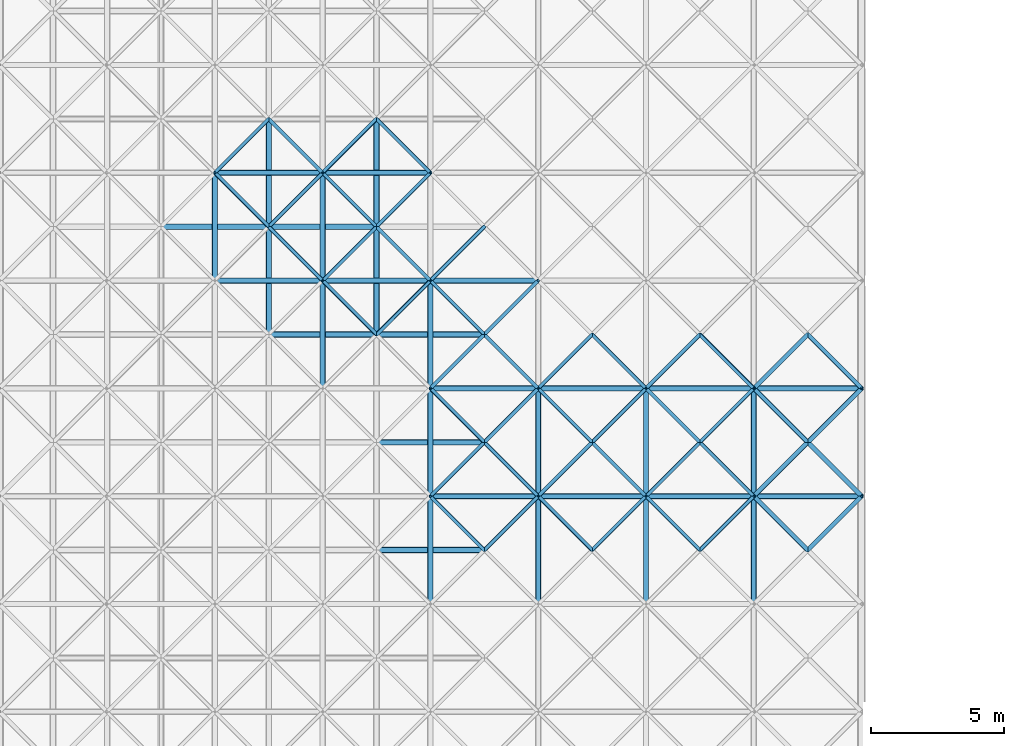
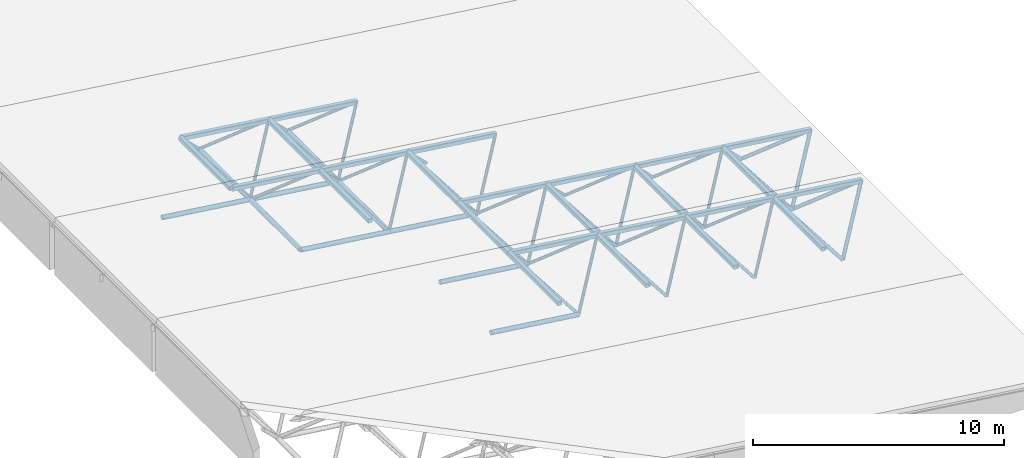
# One storey, part 18 of 70: 83 members.
"""IFC4 building model written with IfcOpenShell, lengths in metres."""

from ifc_helpers import new_model, si_unit, direction, frame, origin, origin_2d, place, context, subcontext, project, spatial, hollow_rectangle, hollow_circle, extrude, material, material_profile, profile_set, type_object, element, save


model = new_model("IFC4")

# Units and contexts
model_context = context("Model", 3, precision=1e-05, world=origin(), true_north=direction((0.0, 1.0)))
body_context = subcontext(model_context, "Body", "Model", "MODEL_VIEW")
ifc_project = project(units=[si_unit("LENGTHUNIT", "METRE"), si_unit("AREAUNIT", "SQUARE_METRE"), si_unit("VOLUMEUNIT", "CUBIC_METRE"), si_unit("PLANEANGLEUNIT", "RADIAN"), si_unit("MASSUNIT", "GRAM", prefix="KILO")], contexts=[model_context])

# Site, building, storey
site_placement = place(None, origin())
site = spatial("IfcSite", under=ifc_project, at=site_placement, CompositionType="ELEMENT")
building_placement = place(site_placement, origin())
building = spatial("IfcBuilding", under=site, at=building_placement, Name="Vaudrelin Polytechnic", CompositionType="ELEMENT")
storey_placement = place(building_placement, frame((0.0, 0.0, 14.110107421875)))
storey = spatial("IfcBuildingStorey", under=building, at=storey_placement, Name="L03", CompositionType="ELEMENT", Elevation=14.110107421875)

# Members
ifc_material = material(Name="Steel CSA G40.21 350WT", Category="steel")
ifc_material_profile_1 = material_profile(ifc_material, hollow_circle(Radius=0.109619140625, WallThickness=0.010986328125, at=origin_2d()), Name="CHS219.1x11.1")
ifc_profile_set_1 = profile_set([ifc_material_profile_1], Name="Steel CSA G40.21 350WT")
member_type_1 = type_object("IfcMemberType", Name="MEM-SF-BC1", PredefinedType="CHORD", material=ifc_profile_set_1)
for number, where, z_axis, x_axis, name in (
    (1, (14.175048828125, 54.675048828125, 0.439208984375), (0.991444732077, 0.0, -0.130527174324), (0.0, 1.0, 0.0), "Space frame bottom chord X 4-4"),
    (2, (14.175048828125, 58.72509765625, 0.439208984375), (0.991444732077, 0.0, -0.130527174324), (0.0, 1.0, 0.0), "Space frame bottom chord X 4-5"),
    (3, (10.125, 62.77490234375, 0.972412109375), (0.991444732077, 0.0, -0.130527174324), (0.0, 1.0, 0.0), "Space frame bottom chord X 3-6"),
    (4, (14.175048828125, 62.77490234375, 0.439208984375), (0.991444732077, 0.0, -0.130527174324), (0.0, 1.0, 0.0), "Space frame bottom chord X 4-6"),
    (5, (6.074951171875, 66.824951171875, 1.505615234375), (0.991444732077, 0.0, -0.130527174324), (0.0, 1.0, 0.0), "Space frame bottom chord X 2-7"),
    (6, (10.125, 66.824951171875, 0.972412109375), (0.991444732077, 0.0, -0.130527174324), (0.0, 1.0, 0.0), "Space frame bottom chord X 3-7"),
):
    element("IfcMember", number, at=place(storey_placement, frame(where, z_axis=z_axis, x_axis=x_axis)), inside=storey, type_object=member_type_1, Name=name, PredefinedType="CHORD", context=body_context, shape_type="SweptSolid", body=[
        extrude(hollow_circle(Radius=0.109619140625, WallThickness=0.010986328125, at=origin_2d()), origin(), (0.0, 0.0, 1.0), 4.0849609375),
    ])
for number, where, z_axis, x_axis, name in (
    (7, (10.125, 62.77490234375, 0.972412109375), (0.0, 1.0, 0.0), (-1.0, 0.0, 0.0), "Space frame bottom chord Y 3-6"),
    (8, (10.125, 66.824951171875, 0.972412109375), (0.0, 1.0, 0.0), (-1.0, 0.0, 0.0), "Space frame bottom chord Y 3-7"),
    (9, (14.175048828125, 62.77490234375, 0.439208984375), (0.0, 1.0, 0.0), (-1.0, 0.0, 0.0), "Space frame bottom chord Y 4-6"),
    (10, (14.175048828125, 66.824951171875, 0.439208984375), (0.0, 1.0, 0.0), (-1.0, 0.0, 0.0), "Space frame bottom chord Y 4-7"),
):
    element("IfcMember", number, at=place(storey_placement, frame(where, z_axis=z_axis, x_axis=x_axis)), inside=storey, type_object=member_type_1, Name=name, PredefinedType="CHORD", context=body_context, shape_type="SweptSolid", body=[
        extrude(hollow_circle(Radius=0.109619140625, WallThickness=0.010986328125, at=origin_2d()), origin(), (0.0, 0.0, 1.0), 4.050048828125),
    ])
ifc_material_profile_2 = material_profile(ifc_material, hollow_rectangle(XDim=0.202880859375, YDim=0.202880859375, WallThickness=0.009521484375, InnerFilletRadius=0.009521484375, OuterFilletRadius=0.01904296875, at=origin_2d()), Name="HSS203x203x9.5")
ifc_profile_set_2 = profile_set([ifc_material_profile_2], Name="Steel CSA G40.21 350WT")
member_type_2 = type_object("IfcMemberType", Name="MEM-SF-TC1", PredefinedType="CHORD", material=ifc_profile_set_2)
for number, where, z_axis, x_axis, name in (
    (11, (16.199951171875, 56.699951171875, 2.372802734375), (0.991444732077, 0.0, -0.130527174324), (0.0, 1.0, 0.0), "Space frame top chord X 5-5"),
    (12, (20.25, 56.699951171875, 1.839599609375), (0.991444732077, 0.0, -0.130527174324), (0.0, 1.0, 0.0), "Space frame top chord X 6-5"),
    (13, (24.300048828125, 56.699951171875, 1.306396484375), (0.991444732077, 0.0, -0.130527174324), (0.0, 1.0, 0.0), "Space frame top chord X 7-5"),
):
    element("IfcMember", number, at=place(storey_placement, frame(where, z_axis=z_axis, x_axis=x_axis)), inside=storey, type_object=member_type_2, Name=name, PredefinedType="CHORD", context=body_context, shape_type="SweptSolid", body=[
        extrude(hollow_rectangle(XDim=0.202880859375, YDim=0.202880859375, WallThickness=0.009521484375, InnerFilletRadius=0.009521484375, OuterFilletRadius=0.01904296875, at=origin_2d()), origin(), (0.0, 0.0, 1.0), 4.0849609375),
    ])
member_1_placement = place(storey_placement, frame((28.35009765625, 56.699951171875, 0.773193359375), z_axis=(0.991443713746, 0.0, -0.13053490902), x_axis=(0.0, 1.0, 0.0)))
element("IfcMember", 14, at=member_1_placement, inside=storey, type_object=member_type_2, Name="Space frame top chord X 8-5", PredefinedType="CHORD", context=body_context, shape_type="SweptSolid", body=[
    extrude(hollow_rectangle(XDim=0.202880859375, YDim=0.202880859375, WallThickness=0.009521484375, InnerFilletRadius=0.009521484375, OuterFilletRadius=0.01904296875, at=origin_2d()), origin(), (0.0, 0.0, 1.0), 4.084716796875),
])
for number, where, z_axis, x_axis, name in (
    (15, (16.199951171875, 60.75, 2.372802734375), (0.991444732077, 0.0, -0.130527174324), (0.0, 1.0, 0.0), "Space frame top chord X 5-6"),
    (16, (20.25, 60.75, 1.839599609375), (0.991444732077, 0.0, -0.130527174324), (0.0, 1.0, 0.0), "Space frame top chord X 6-6"),
    (17, (24.300048828125, 60.75, 1.306396484375), (0.991444732077, 0.0, -0.130527174324), (0.0, 1.0, 0.0), "Space frame top chord X 7-6"),
):
    element("IfcMember", number, at=place(storey_placement, frame(where, z_axis=z_axis, x_axis=x_axis)), inside=storey, type_object=member_type_2, Name=name, PredefinedType="CHORD", context=body_context, shape_type="SweptSolid", body=[
        extrude(hollow_rectangle(XDim=0.202880859375, YDim=0.202880859375, WallThickness=0.009521484375, InnerFilletRadius=0.009521484375, OuterFilletRadius=0.01904296875, at=origin_2d()), origin(), (0.0, 0.0, 1.0), 4.0849609375),
    ])
for number, where, z_axis, x_axis, name in (
    (18, (28.35009765625, 60.75, 0.773193359375), (0.991443713746, 0.0, -0.13053490902), (0.0, 1.0, 0.0), "Space frame top chord X 8-6"),
    (19, (8.10009765625, 64.800048828125, 3.439208984375), (0.991443713746, 0.0, -0.13053490902), (0.0, 1.0, 0.0), "Space frame top chord X 3-7"),
):
    element("IfcMember", number, at=place(storey_placement, frame(where, z_axis=z_axis, x_axis=x_axis)), inside=storey, type_object=member_type_2, Name=name, PredefinedType="CHORD", context=body_context, shape_type="SweptSolid", body=[
        extrude(hollow_rectangle(XDim=0.202880859375, YDim=0.202880859375, WallThickness=0.009521484375, InnerFilletRadius=0.009521484375, OuterFilletRadius=0.01904296875, at=origin_2d()), origin(), (0.0, 0.0, 1.0), 4.084716796875),
    ])
for number, where, z_axis, x_axis, name in (
    (20, (12.14990234375, 64.800048828125, 2.906005859375), (0.991444732077, 0.0, -0.130527174324), (0.0, 1.0, 0.0), "Space frame top chord X 4-7"),
    (21, (16.199951171875, 64.800048828125, 2.372802734375), (0.991444732077, 0.0, -0.130527174324), (0.0, 1.0, 0.0), "Space frame top chord X 5-7"),
):
    element("IfcMember", number, at=place(storey_placement, frame(where, z_axis=z_axis, x_axis=x_axis)), inside=storey, type_object=member_type_2, Name=name, PredefinedType="CHORD", context=body_context, shape_type="SweptSolid", body=[
        extrude(hollow_rectangle(XDim=0.202880859375, YDim=0.202880859375, WallThickness=0.009521484375, InnerFilletRadius=0.009521484375, OuterFilletRadius=0.01904296875, at=origin_2d()), origin(), (0.0, 0.0, 1.0), 4.0849609375),
    ])
member_2_placement = place(storey_placement, frame((8.10009765625, 68.85009765625, 3.439208984375), z_axis=(0.991443713746, 0.0, -0.13053490902), x_axis=(0.0, 1.0, 0.0)))
element("IfcMember", 22, at=member_2_placement, inside=storey, type_object=member_type_2, Name="Space frame top chord X 3-8", PredefinedType="CHORD", context=body_context, shape_type="SweptSolid", body=[
    extrude(hollow_rectangle(XDim=0.202880859375, YDim=0.202880859375, WallThickness=0.009521484375, InnerFilletRadius=0.009521484375, OuterFilletRadius=0.01904296875, at=origin_2d()), origin(), (0.0, 0.0, 1.0), 4.084716796875),
])
member_3_placement = place(storey_placement, frame((12.14990234375, 68.85009765625, 2.906005859375), z_axis=(0.991444732077, 0.0, -0.130527174324), x_axis=(0.0, 1.0, 0.0)))
element("IfcMember", 23, at=member_3_placement, inside=storey, type_object=member_type_2, Name="Space frame top chord X 4-8", PredefinedType="CHORD", context=body_context, shape_type="SweptSolid", body=[
    extrude(hollow_rectangle(XDim=0.202880859375, YDim=0.202880859375, WallThickness=0.009521484375, InnerFilletRadius=0.009521484375, OuterFilletRadius=0.01904296875, at=origin_2d()), origin(), (0.0, 0.0, 1.0), 4.0849609375),
])
for number, where, z_axis, x_axis, name in (
    (24, (8.10009765625, 64.800048828125, 3.439208984375), (0.0, 1.0, 0.0), (-1.0, 0.0, 0.0), "Space frame top chord Y 3-7"),
    (25, (12.14990234375, 60.75, 2.906005859375), (0.0, 1.0, 0.0), (-1.0, 0.0, 0.0), "Space frame top chord Y 4-6"),
    (26, (12.14990234375, 64.800048828125, 2.906005859375), (0.0, 1.0, 0.0), (-1.0, 0.0, 0.0), "Space frame top chord Y 4-7"),
    (27, (16.199951171875, 52.64990234375, 2.372802734375), (0.0, 1.0, 0.0), (-1.0, 0.0, 0.0), "Space frame top chord Y 5-4"),
    (28, (16.199951171875, 56.699951171875, 2.372802734375), (0.0, 1.0, 0.0), (-1.0, 0.0, 0.0), "Space frame top chord Y 5-5"),
    (29, (16.199951171875, 60.75, 2.372802734375), (0.0, 1.0, 0.0), (-1.0, 0.0, 0.0), "Space frame top chord Y 5-6"),
    (30, (20.25, 52.64990234375, 1.839599609375), (0.0, 1.0, 0.0), (-1.0, 0.0, 0.0), "Space frame top chord Y 6-4"),
    (31, (20.25, 56.699951171875, 1.839599609375), (0.0, 1.0, 0.0), (-1.0, 0.0, 0.0), "Space frame top chord Y 6-5"),
    (32, (24.300048828125, 52.64990234375, 1.306396484375), (0.0, 1.0, 0.0), (-1.0, 0.0, 0.0), "Space frame top chord Y 7-4"),
    (33, (24.300048828125, 56.699951171875, 1.306396484375), (0.0, 1.0, 0.0), (-1.0, 0.0, 0.0), "Space frame top chord Y 7-5"),
    (34, (28.35009765625, 52.64990234375, 0.773193359375), (0.0, 1.0, 0.0), (-1.0, 0.0, 0.0), "Space frame top chord Y 8-4"),
    (35, (28.35009765625, 56.699951171875, 0.773193359375), (0.0, 1.0, 0.0), (-1.0, 0.0, 0.0), "Space frame top chord Y 8-5"),
):
    element("IfcMember", number, at=place(storey_placement, frame(where, z_axis=z_axis, x_axis=x_axis)), inside=storey, type_object=member_type_2, Name=name, PredefinedType="CHORD", context=body_context, shape_type="SweptSolid", body=[
        extrude(hollow_rectangle(XDim=0.202880859375, YDim=0.202880859375, WallThickness=0.009521484375, InnerFilletRadius=0.009521484375, OuterFilletRadius=0.01904296875, at=origin_2d()), origin(), (0.0, 0.0, 1.0), 4.050048828125),
    ])
ifc_material_profile_3 = material_profile(ifc_material, hollow_circle(Radius=0.06982421875, WallThickness=0.008056640625, at=origin_2d()), Name="CHS139.7x8.0")
ifc_profile_set_3 = profile_set([ifc_material_profile_3], Name="Steel CSA G40.21 350WT")
member_type_3 = type_object("IfcMemberType", Name="MEM-SF-WB1", PredefinedType="BRACE", material=ifc_profile_set_3)
member_4_placement = place(storey_placement, frame((10.125, 66.824951171875, 0.972412109375), z_axis=(0.586024364893, -0.586024364893, 0.559598863028), x_axis=(0.707106781187, 0.707106781187, 0.0)))
element("IfcMember", 36, at=member_4_placement, inside=storey, type_object=member_type_3, Name="Space frame web diagonal 3.7.2", PredefinedType="BRACE", context=body_context, shape_type="SweptSolid", body=[
    extrude(hollow_circle(Radius=0.06982421875, WallThickness=0.008056640625, at=origin_2d()), origin(), (0.0, 0.0, 1.0), 3.455322265625),
])
member_5_placement = place(storey_placement, frame((10.125, 66.824951171875, 0.972412109375), z_axis=(0.586000099787, 0.586070753284, 0.559575692105), x_axis=(-0.707149404941, 0.707064154862, 0.0)))
element("IfcMember", 37, at=member_5_placement, inside=storey, type_object=member_type_3, Name="Space frame web diagonal 3.7.3", PredefinedType="BRACE", context=body_context, shape_type="SweptSolid", body=[
    extrude(hollow_circle(Radius=0.06982421875, WallThickness=0.008056640625, at=origin_2d()), origin(), (0.0, 0.0, 1.0), 3.45556640625),
])
member_6_placement = place(storey_placement, frame((10.125, 66.824951171875, 0.972412109375), z_axis=(-0.535723422002, 0.535788013686, 0.65263436893), x_axis=(-0.707149404941, -0.707064154862, 0.0)))
element("IfcMember", 38, at=member_6_placement, inside=storey, type_object=member_type_3, Name="Space frame web diagonal 3.7.4", PredefinedType="BRACE", context=body_context, shape_type="SweptSolid", body=[
    extrude(hollow_circle(Radius=0.06982421875, WallThickness=0.008056640625, at=origin_2d()), origin(), (0.0, 0.0, 1.0), 3.77978515625),
])
member_7_placement = place(storey_placement, frame((10.125, 70.875, 0.972412109375), z_axis=(-0.535741961868, -0.535741961868, 0.652656954753), x_axis=(0.707106781187, -0.707106781187, 0.0)))
element("IfcMember", 39, at=member_7_placement, inside=storey, type_object=member_type_3, Name="Space frame web diagonal 3.8.1", PredefinedType="BRACE", context=body_context, shape_type="SweptSolid", body=[
    extrude(hollow_circle(Radius=0.06982421875, WallThickness=0.008056640625, at=origin_2d()), origin(), (0.0, 0.0, 1.0), 3.779541015625),
])
member_8_placement = place(storey_placement, frame((10.125, 70.875, 0.972412109375), z_axis=(0.586024364893, -0.586024364893, 0.559598863028), x_axis=(0.707106781187, 0.707106781187, 0.0)))
element("IfcMember", 40, at=member_8_placement, inside=storey, type_object=member_type_3, Name="Space frame web diagonal 3.8.2", PredefinedType="BRACE", context=body_context, shape_type="SweptSolid", body=[
    extrude(hollow_circle(Radius=0.06982421875, WallThickness=0.008056640625, at=origin_2d()), origin(), (0.0, 0.0, 1.0), 3.455322265625),
])
member_9_placement = place(storey_placement, frame((14.175048828125, 62.77490234375, 0.439208984375), z_axis=(0.586000099787, 0.586070753284, 0.559575692105), x_axis=(-0.707149404941, 0.707064154862, 0.0)))
element("IfcMember", 41, at=member_9_placement, inside=storey, type_object=member_type_3, Name="Space frame web diagonal 4.6.3", PredefinedType="BRACE", context=body_context, shape_type="SweptSolid", body=[
    extrude(hollow_circle(Radius=0.06982421875, WallThickness=0.008056640625, at=origin_2d()), origin(), (0.0, 0.0, 1.0), 3.45556640625),
])
for number, where, z_axis, x_axis, name in (
    (42, (14.175048828125, 62.77490234375, 0.439208984375), (-0.535769473509, 0.535769473509, 0.652611785453), (-0.707106781187, -0.707106781187, 0.0), "Space frame web diagonal 4.6.4"),
    (43, (14.175048828125, 66.824951171875, 0.439208984375), (-0.535788013686, -0.535723422002, 0.65263436893), (0.707064154862, -0.707149404941, 0.0), "Space frame web diagonal 4.7.1"),
):
    element("IfcMember", number, at=place(storey_placement, frame(where, z_axis=z_axis, x_axis=x_axis)), inside=storey, type_object=member_type_3, Name=name, PredefinedType="BRACE", context=body_context, shape_type="SweptSolid", body=[
        extrude(hollow_circle(Radius=0.06982421875, WallThickness=0.008056640625, at=origin_2d()), origin(), (0.0, 0.0, 1.0), 3.77978515625),
    ])
member_10_placement = place(storey_placement, frame((14.175048828125, 66.824951171875, 0.439208984375), z_axis=(0.586024364893, -0.586024364893, 0.559598863028), x_axis=(0.707106781187, 0.707106781187, 0.0)))
element("IfcMember", 44, at=member_10_placement, inside=storey, type_object=member_type_3, Name="Space frame web diagonal 4.7.2", PredefinedType="BRACE", context=body_context, shape_type="SweptSolid", body=[
    extrude(hollow_circle(Radius=0.06982421875, WallThickness=0.008056640625, at=origin_2d()), origin(), (0.0, 0.0, 1.0), 3.455322265625),
])
member_11_placement = place(storey_placement, frame((14.175048828125, 66.824951171875, 0.439208984375), z_axis=(0.586000099787, 0.586070753284, 0.559575692105), x_axis=(-0.707149404941, 0.707064154862, 0.0)))
element("IfcMember", 45, at=member_11_placement, inside=storey, type_object=member_type_3, Name="Space frame web diagonal 4.7.3", PredefinedType="BRACE", context=body_context, shape_type="SweptSolid", body=[
    extrude(hollow_circle(Radius=0.06982421875, WallThickness=0.008056640625, at=origin_2d()), origin(), (0.0, 0.0, 1.0), 3.45556640625),
])
for number, where, z_axis, x_axis, name in (
    (46, (14.175048828125, 66.824951171875, 0.439208984375), (-0.535769473509, 0.535769473509, 0.652611785453), (-0.707106781187, -0.707106781187, 0.0), "Space frame web diagonal 4.7.4"),
    (47, (14.175048828125, 70.875, 0.439208984375), (-0.535788013686, -0.535723422002, 0.65263436893), (0.707064154862, -0.707149404941, 0.0), "Space frame web diagonal 4.8.1"),
):
    element("IfcMember", number, at=place(storey_placement, frame(where, z_axis=z_axis, x_axis=x_axis)), inside=storey, type_object=member_type_3, Name=name, PredefinedType="BRACE", context=body_context, shape_type="SweptSolid", body=[
        extrude(hollow_circle(Radius=0.06982421875, WallThickness=0.008056640625, at=origin_2d()), origin(), (0.0, 0.0, 1.0), 3.77978515625),
    ])
for number, where, z_axis, x_axis, name in (
    (48, (14.175048828125, 70.875, 0.439208984375), (0.586024364893, -0.586024364893, 0.559598863028), (0.707106781187, 0.707106781187, 0.0), "Space frame web diagonal 4.8.2"),
    (49, (18.22509765625, 54.675048828125, -0.093994140625), (0.586024364893, 0.586024364893, 0.559598863028), (-0.707106781187, 0.707106781187, 0.0), "Space frame web diagonal 5.4.3"),
):
    element("IfcMember", number, at=place(storey_placement, frame(where, z_axis=z_axis, x_axis=x_axis)), inside=storey, type_object=member_type_3, Name=name, PredefinedType="BRACE", context=body_context, shape_type="SweptSolid", body=[
        extrude(hollow_circle(Radius=0.06982421875, WallThickness=0.008056640625, at=origin_2d()), origin(), (0.0, 0.0, 1.0), 3.455322265625),
    ])
for number, where, z_axis, x_axis, name in (
    (50, (18.22509765625, 54.675048828125, -0.093994140625), (-0.535788013686, 0.535723422002, 0.65263436893), (-0.707064154862, -0.707149404941, 0.0), "Space frame web diagonal 5.4.4"),
    (51, (18.22509765625, 58.72509765625, -0.093994140625), (-0.535769473509, -0.535769473509, 0.652611785453), (0.707106781187, -0.707106781187, 0.0), "Space frame web diagonal 5.5.1"),
):
    element("IfcMember", number, at=place(storey_placement, frame(where, z_axis=z_axis, x_axis=x_axis)), inside=storey, type_object=member_type_3, Name=name, PredefinedType="BRACE", context=body_context, shape_type="SweptSolid", body=[
        extrude(hollow_circle(Radius=0.06982421875, WallThickness=0.008056640625, at=origin_2d()), origin(), (0.0, 0.0, 1.0), 3.77978515625),
    ])
member_12_placement = place(storey_placement, frame((18.22509765625, 58.72509765625, -0.093994140625), z_axis=(0.586000099787, -0.586070753284, 0.559575692105), x_axis=(0.707149404941, 0.707064154862, 0.0)))
element("IfcMember", 52, at=member_12_placement, inside=storey, type_object=member_type_3, Name="Space frame web diagonal 5.5.2", PredefinedType="BRACE", context=body_context, shape_type="SweptSolid", body=[
    extrude(hollow_circle(Radius=0.06982421875, WallThickness=0.008056640625, at=origin_2d()), origin(), (0.0, 0.0, 1.0), 3.45556640625),
])
member_13_placement = place(storey_placement, frame((18.22509765625, 58.72509765625, -0.093994140625), z_axis=(0.586024364893, 0.586024364893, 0.559598863028), x_axis=(-0.707106781187, 0.707106781187, 0.0)))
element("IfcMember", 53, at=member_13_placement, inside=storey, type_object=member_type_3, Name="Space frame web diagonal 5.5.3", PredefinedType="BRACE", context=body_context, shape_type="SweptSolid", body=[
    extrude(hollow_circle(Radius=0.06982421875, WallThickness=0.008056640625, at=origin_2d()), origin(), (0.0, 0.0, 1.0), 3.455322265625),
])
for number, where, z_axis, x_axis, name in (
    (54, (18.22509765625, 58.72509765625, -0.093994140625), (-0.535788013686, 0.535723422002, 0.65263436893), (-0.707064154862, -0.707149404941, 0.0), "Space frame web diagonal 5.5.4"),
    (55, (18.22509765625, 62.77490234375, -0.093994140625), (-0.535788013686, -0.535723422002, 0.65263436893), (0.707064154862, -0.707149404941, 0.0), "Space frame web diagonal 5.6.1"),
):
    element("IfcMember", number, at=place(storey_placement, frame(where, z_axis=z_axis, x_axis=x_axis)), inside=storey, type_object=member_type_3, Name=name, PredefinedType="BRACE", context=body_context, shape_type="SweptSolid", body=[
        extrude(hollow_circle(Radius=0.06982421875, WallThickness=0.008056640625, at=origin_2d()), origin(), (0.0, 0.0, 1.0), 3.77978515625),
    ])
member_14_placement = place(storey_placement, frame((18.22509765625, 62.77490234375, -0.093994140625), z_axis=(0.586024364893, -0.586024364893, 0.559598863028), x_axis=(0.707106781187, 0.707106781187, 0.0)))
element("IfcMember", 56, at=member_14_placement, inside=storey, type_object=member_type_3, Name="Space frame web diagonal 5.6.2", PredefinedType="BRACE", context=body_context, shape_type="SweptSolid", body=[
    extrude(hollow_circle(Radius=0.06982421875, WallThickness=0.008056640625, at=origin_2d()), origin(), (0.0, 0.0, 1.0), 3.455322265625),
])
member_15_placement = place(storey_placement, frame((18.22509765625, 62.77490234375, -0.093994140625), z_axis=(0.586000099787, 0.586070753284, 0.559575692105), x_axis=(-0.707149404941, 0.707064154862, 0.0)))
element("IfcMember", 57, at=member_15_placement, inside=storey, type_object=member_type_3, Name="Space frame web diagonal 5.6.3", PredefinedType="BRACE", context=body_context, shape_type="SweptSolid", body=[
    extrude(hollow_circle(Radius=0.06982421875, WallThickness=0.008056640625, at=origin_2d()), origin(), (0.0, 0.0, 1.0), 3.45556640625),
])
for number, where, z_axis, x_axis, name in (
    (58, (18.22509765625, 62.77490234375, -0.093994140625), (-0.535769473509, 0.535769473509, 0.652611785453), (-0.707106781187, -0.707106781187, 0.0), "Space frame web diagonal 5.6.4"),
    (59, (18.22509765625, 66.824951171875, -0.093994140625), (-0.535788013686, -0.535723422002, 0.65263436893), (0.707064154862, -0.707149404941, 0.0), "Space frame web diagonal 5.7.1"),
):
    element("IfcMember", number, at=place(storey_placement, frame(where, z_axis=z_axis, x_axis=x_axis)), inside=storey, type_object=member_type_3, Name=name, PredefinedType="BRACE", context=body_context, shape_type="SweptSolid", body=[
        extrude(hollow_circle(Radius=0.06982421875, WallThickness=0.008056640625, at=origin_2d()), origin(), (0.0, 0.0, 1.0), 3.77978515625),
    ])
member_16_placement = place(storey_placement, frame((22.27490234375, 54.675048828125, -0.627197265625), z_axis=(0.586070753284, 0.586000099787, 0.559575692105), x_axis=(-0.707064154862, 0.707149404941, 0.0)))
element("IfcMember", 60, at=member_16_placement, inside=storey, type_object=member_type_3, Name="Space frame web diagonal 6.4.3", PredefinedType="BRACE", context=body_context, shape_type="SweptSolid", body=[
    extrude(hollow_circle(Radius=0.06982421875, WallThickness=0.008056640625, at=origin_2d()), origin(), (0.0, 0.0, 1.0), 3.45556640625),
])
member_17_placement = place(storey_placement, frame((22.27490234375, 54.675048828125, -0.627197265625), z_axis=(-0.535741961868, 0.535741961868, 0.652656954753), x_axis=(-0.707106781187, -0.707106781187, 0.0)))
element("IfcMember", 61, at=member_17_placement, inside=storey, type_object=member_type_3, Name="Space frame web diagonal 6.4.4", PredefinedType="BRACE", context=body_context, shape_type="SweptSolid", body=[
    extrude(hollow_circle(Radius=0.06982421875, WallThickness=0.008056640625, at=origin_2d()), origin(), (0.0, 0.0, 1.0), 3.779541015625),
])
member_18_placement = place(storey_placement, frame((22.27490234375, 58.72509765625, -0.627197265625), z_axis=(-0.535723422002, -0.535788013686, 0.65263436893), x_axis=(0.707149404941, -0.707064154862, 0.0)))
element("IfcMember", 62, at=member_18_placement, inside=storey, type_object=member_type_3, Name="Space frame web diagonal 6.5.1", PredefinedType="BRACE", context=body_context, shape_type="SweptSolid", body=[
    extrude(hollow_circle(Radius=0.06982421875, WallThickness=0.008056640625, at=origin_2d()), origin(), (0.0, 0.0, 1.0), 3.77978515625),
])
for number, where, z_axis, x_axis, name in (
    (63, (22.27490234375, 58.72509765625, -0.627197265625), (0.586046488267, -0.586046488267, 0.559552524059), (0.707106781187, 0.707106781187, 0.0), "Space frame web diagonal 6.5.2"),
    (64, (22.27490234375, 58.72509765625, -0.627197265625), (0.586070753284, 0.586000099787, 0.559575692105), (-0.707064154862, 0.707149404941, 0.0), "Space frame web diagonal 6.5.3"),
):
    element("IfcMember", number, at=place(storey_placement, frame(where, z_axis=z_axis, x_axis=x_axis)), inside=storey, type_object=member_type_3, Name=name, PredefinedType="BRACE", context=body_context, shape_type="SweptSolid", body=[
        extrude(hollow_circle(Radius=0.06982421875, WallThickness=0.008056640625, at=origin_2d()), origin(), (0.0, 0.0, 1.0), 3.45556640625),
    ])
for number, where, z_axis, x_axis, name in (
    (65, (22.27490234375, 58.72509765625, -0.627197265625), (-0.535741961868, 0.535741961868, 0.652656954753), (-0.707106781187, -0.707106781187, 0.0), "Space frame web diagonal 6.5.4"),
    (66, (22.27490234375, 62.77490234375, -0.627197265625), (-0.535741961868, -0.535741961868, 0.652656954753), (0.707106781187, -0.707106781187, 0.0), "Space frame web diagonal 6.6.1"),
):
    element("IfcMember", number, at=place(storey_placement, frame(where, z_axis=z_axis, x_axis=x_axis)), inside=storey, type_object=member_type_3, Name=name, PredefinedType="BRACE", context=body_context, shape_type="SweptSolid", body=[
        extrude(hollow_circle(Radius=0.06982421875, WallThickness=0.008056640625, at=origin_2d()), origin(), (0.0, 0.0, 1.0), 3.779541015625),
    ])
for number, where, z_axis, x_axis, name in (
    (67, (22.27490234375, 62.77490234375, -0.627197265625), (0.586070753284, -0.586000099787, 0.559575692105), (0.707064154862, 0.707149404941, 0.0), "Space frame web diagonal 6.6.2"),
    (68, (26.324951171875, 54.675048828125, -1.160400390625), (0.586070753284, 0.586000099787, 0.559575692105), (-0.707064154862, 0.707149404941, 0.0), "Space frame web diagonal 7.4.3"),
):
    element("IfcMember", number, at=place(storey_placement, frame(where, z_axis=z_axis, x_axis=x_axis)), inside=storey, type_object=member_type_3, Name=name, PredefinedType="BRACE", context=body_context, shape_type="SweptSolid", body=[
        extrude(hollow_circle(Radius=0.06982421875, WallThickness=0.008056640625, at=origin_2d()), origin(), (0.0, 0.0, 1.0), 3.45556640625),
    ])
member_19_placement = place(storey_placement, frame((26.324951171875, 54.675048828125, -1.160400390625), z_axis=(-0.535741961868, 0.535741961868, 0.652656954753), x_axis=(-0.707106781187, -0.707106781187, 0.0)))
element("IfcMember", 69, at=member_19_placement, inside=storey, type_object=member_type_3, Name="Space frame web diagonal 7.4.4", PredefinedType="BRACE", context=body_context, shape_type="SweptSolid", body=[
    extrude(hollow_circle(Radius=0.06982421875, WallThickness=0.008056640625, at=origin_2d()), origin(), (0.0, 0.0, 1.0), 3.779541015625),
])
member_20_placement = place(storey_placement, frame((26.324951171875, 58.72509765625, -1.160400390625), z_axis=(-0.535723422002, -0.535788013686, 0.65263436893), x_axis=(0.707149404941, -0.707064154862, 0.0)))
element("IfcMember", 70, at=member_20_placement, inside=storey, type_object=member_type_3, Name="Space frame web diagonal 7.5.1", PredefinedType="BRACE", context=body_context, shape_type="SweptSolid", body=[
    extrude(hollow_circle(Radius=0.06982421875, WallThickness=0.008056640625, at=origin_2d()), origin(), (0.0, 0.0, 1.0), 3.77978515625),
])
for number, where, z_axis, x_axis, name in (
    (71, (26.324951171875, 58.72509765625, -1.160400390625), (0.586046488267, -0.586046488267, 0.559552524059), (0.707106781187, 0.707106781187, 0.0), "Space frame web diagonal 7.5.2"),
    (72, (26.324951171875, 58.72509765625, -1.160400390625), (0.586070753284, 0.586000099787, 0.559575692105), (-0.707064154862, 0.707149404941, 0.0), "Space frame web diagonal 7.5.3"),
):
    element("IfcMember", number, at=place(storey_placement, frame(where, z_axis=z_axis, x_axis=x_axis)), inside=storey, type_object=member_type_3, Name=name, PredefinedType="BRACE", context=body_context, shape_type="SweptSolid", body=[
        extrude(hollow_circle(Radius=0.06982421875, WallThickness=0.008056640625, at=origin_2d()), origin(), (0.0, 0.0, 1.0), 3.45556640625),
    ])
for number, where, z_axis, x_axis, name in (
    (73, (26.324951171875, 58.72509765625, -1.160400390625), (-0.535741961868, 0.535741961868, 0.652656954753), (-0.707106781187, -0.707106781187, 0.0), "Space frame web diagonal 7.5.4"),
    (74, (26.324951171875, 62.77490234375, -1.160400390625), (-0.535741961868, -0.535741961868, 0.652656954753), (0.707106781187, -0.707106781187, 0.0), "Space frame web diagonal 7.6.1"),
):
    element("IfcMember", number, at=place(storey_placement, frame(where, z_axis=z_axis, x_axis=x_axis)), inside=storey, type_object=member_type_3, Name=name, PredefinedType="BRACE", context=body_context, shape_type="SweptSolid", body=[
        extrude(hollow_circle(Radius=0.06982421875, WallThickness=0.008056640625, at=origin_2d()), origin(), (0.0, 0.0, 1.0), 3.779541015625),
    ])
member_21_placement = place(storey_placement, frame((26.324951171875, 62.77490234375, -1.160400390625), z_axis=(0.586070753284, -0.586000099787, 0.559575692105), x_axis=(0.707064154862, 0.707149404941, 0.0)))
element("IfcMember", 75, at=member_21_placement, inside=storey, type_object=member_type_3, Name="Space frame web diagonal 7.6.2", PredefinedType="BRACE", context=body_context, shape_type="SweptSolid", body=[
    extrude(hollow_circle(Radius=0.06982421875, WallThickness=0.008056640625, at=origin_2d()), origin(), (0.0, 0.0, 1.0), 3.45556640625),
])
ifc_material_profile_4 = material_profile(ifc_material, hollow_circle(Radius=0.084228515625, WallThickness=0.009521484375, at=origin_2d()), Name="CHS168.3x9.5")
ifc_profile_set_4 = profile_set([ifc_material_profile_4], Name="Steel CSA G40.21 350WT")
member_type_4 = type_object("IfcMemberType", Name="MEM-SF-WB2", PredefinedType="BRACE", material=ifc_profile_set_4)
member_22_placement = place(storey_placement, frame((30.375, 54.675048828125, -1.693603515625), z_axis=(0.586024364893, 0.586024364893, 0.559598863028), x_axis=(-0.707106781187, 0.707106781187, 0.0)))
element("IfcMember", 76, at=member_22_placement, inside=storey, type_object=member_type_4, Name="Space frame web diagonal 8.4.3", PredefinedType="BRACE", context=body_context, shape_type="SweptSolid", body=[
    extrude(hollow_circle(Radius=0.084228515625, WallThickness=0.009521484375, at=origin_2d()), origin(), (0.0, 0.0, 1.0), 3.455322265625),
])
member_23_placement = place(storey_placement, frame((30.375, 54.675048828125, -1.693603515625), z_axis=(-0.535741961868, 0.535741961868, 0.652656954753), x_axis=(-0.707106781187, -0.707106781187, 0.0)))
element("IfcMember", 77, at=member_23_placement, inside=storey, type_object=member_type_4, Name="Space frame web diagonal 8.4.4", PredefinedType="BRACE", context=body_context, shape_type="SweptSolid", body=[
    extrude(hollow_circle(Radius=0.084228515625, WallThickness=0.009521484375, at=origin_2d()), origin(), (0.0, 0.0, 1.0), 3.779541015625),
])
member_24_placement = place(storey_placement, frame((30.375, 58.72509765625, -1.693603515625), z_axis=(-0.535723422002, -0.535788013686, 0.65263436893), x_axis=(0.707149404941, -0.707064154862, 0.0)))
element("IfcMember", 78, at=member_24_placement, inside=storey, type_object=member_type_4, Name="Space frame web diagonal 8.5.1", PredefinedType="BRACE", context=body_context, shape_type="SweptSolid", body=[
    extrude(hollow_circle(Radius=0.084228515625, WallThickness=0.009521484375, at=origin_2d()), origin(), (0.0, 0.0, 1.0), 3.77978515625),
])
member_25_placement = place(storey_placement, frame((30.375, 58.72509765625, -1.693603515625), z_axis=(0.586000099787, -0.586070753284, 0.559575692105), x_axis=(0.707149404941, 0.707064154862, 0.0)))
element("IfcMember", 79, at=member_25_placement, inside=storey, type_object=member_type_4, Name="Space frame web diagonal 8.5.2", PredefinedType="BRACE", context=body_context, shape_type="SweptSolid", body=[
    extrude(hollow_circle(Radius=0.084228515625, WallThickness=0.009521484375, at=origin_2d()), origin(), (0.0, 0.0, 1.0), 3.45556640625),
])
member_26_placement = place(storey_placement, frame((30.375, 58.72509765625, -1.693603515625), z_axis=(0.586024364893, 0.586024364893, 0.559598863028), x_axis=(-0.707106781187, 0.707106781187, 0.0)))
element("IfcMember", 80, at=member_26_placement, inside=storey, type_object=member_type_4, Name="Space frame web diagonal 8.5.3", PredefinedType="BRACE", context=body_context, shape_type="SweptSolid", body=[
    extrude(hollow_circle(Radius=0.084228515625, WallThickness=0.009521484375, at=origin_2d()), origin(), (0.0, 0.0, 1.0), 3.455322265625),
])
for number, where, z_axis, x_axis, name in (
    (81, (30.375, 58.72509765625, -1.693603515625), (-0.535741961868, 0.535741961868, 0.652656954753), (-0.707106781187, -0.707106781187, 0.0), "Space frame web diagonal 8.5.4"),
    (82, (30.375, 62.77490234375, -1.693603515625), (-0.535741961868, -0.535741961868, 0.652656954753), (0.707106781187, -0.707106781187, 0.0), "Space frame web diagonal 8.6.1"),
):
    element("IfcMember", number, at=place(storey_placement, frame(where, z_axis=z_axis, x_axis=x_axis)), inside=storey, type_object=member_type_4, Name=name, PredefinedType="BRACE", context=body_context, shape_type="SweptSolid", body=[
        extrude(hollow_circle(Radius=0.084228515625, WallThickness=0.009521484375, at=origin_2d()), origin(), (0.0, 0.0, 1.0), 3.779541015625),
    ])
member_27_placement = place(storey_placement, frame((30.375, 62.77490234375, -1.693603515625), z_axis=(0.586024364893, -0.586024364893, 0.559598863028), x_axis=(0.707106781187, 0.707106781187, 0.0)))
element("IfcMember", 83, at=member_27_placement, inside=storey, type_object=member_type_4, Name="Space frame web diagonal 8.6.2", PredefinedType="BRACE", context=body_context, shape_type="SweptSolid", body=[
    extrude(hollow_circle(Radius=0.084228515625, WallThickness=0.009521484375, at=origin_2d()), origin(), (0.0, 0.0, 1.0), 3.455322265625),
])

save(model, "model.ifc")
